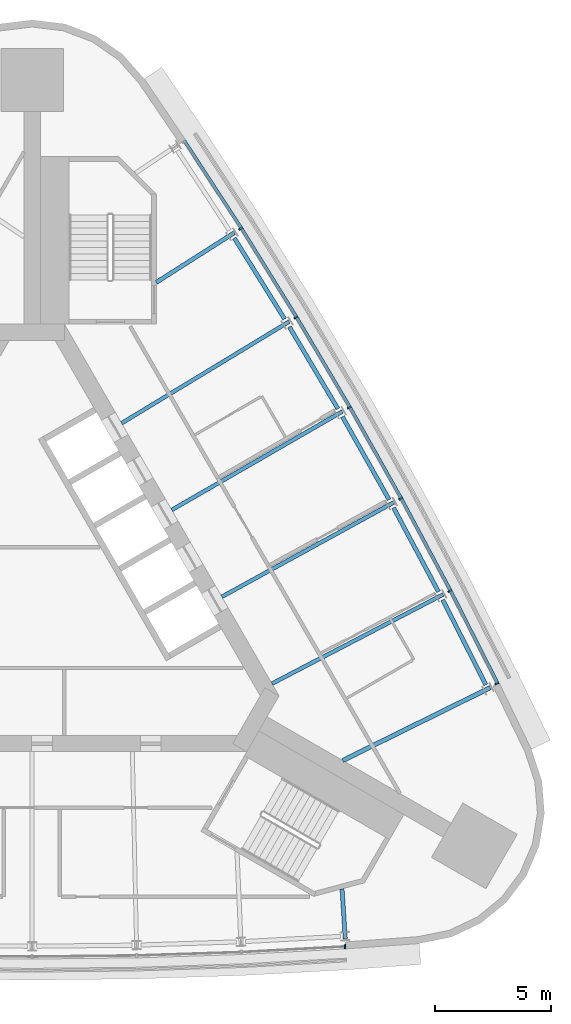
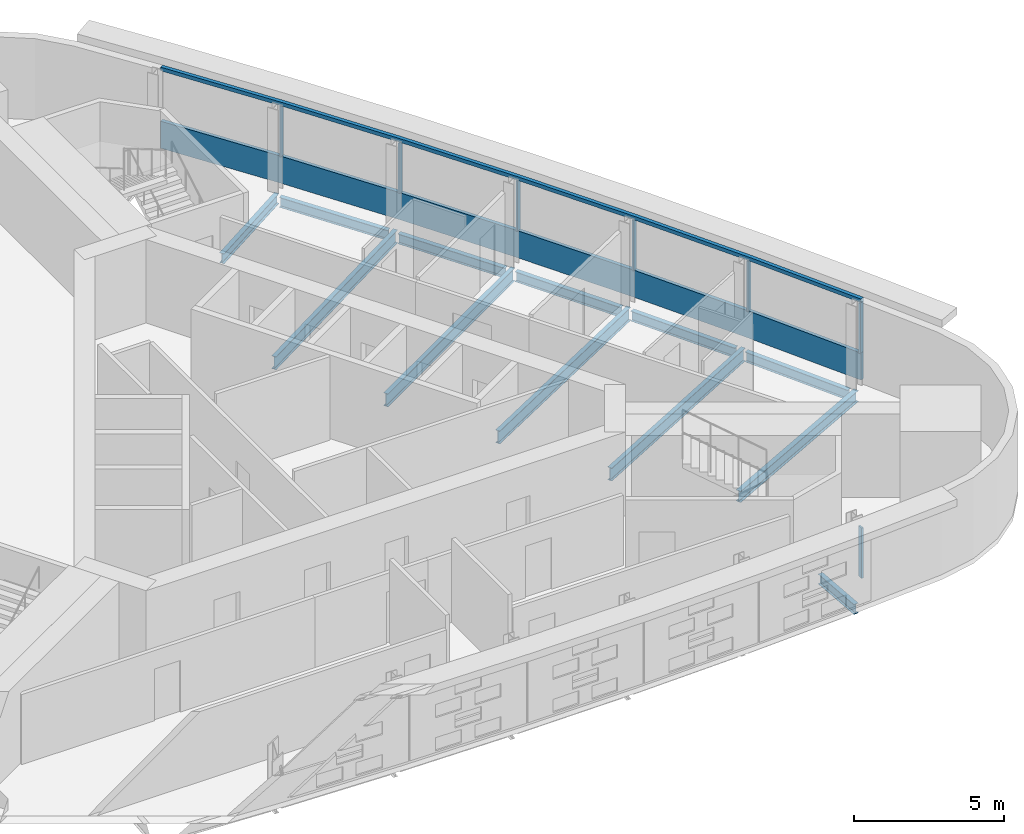
# One storey, part 4 of 10: 12 beams, 9 members, 2 elements without a shape of their own.
"""IFC4 building model written with IfcOpenShell, lengths in metres."""

from ifc_helpers import new_model, si_unit, direction, frame, origin, origin_2d, place, context, subcontext, project, spatial, polyline, rectangle, i_section, outline, extrude, material, material_profile, profile_set, type_object, element, aggregate, save


model = new_model("IFC4")

# Units and contexts
model_context = context("Model", 3, precision=1e-05, world=origin(), true_north=direction((0.0, 1.0)))
body_context = subcontext(model_context, "Body", "Model", "MODEL_VIEW")
ifc_project = project(units=[si_unit("LENGTHUNIT", "METRE"), si_unit("AREAUNIT", "SQUARE_METRE"), si_unit("VOLUMEUNIT", "CUBIC_METRE"), si_unit("PLANEANGLEUNIT", "RADIAN"), si_unit("MASSUNIT", "GRAM", prefix="KILO")], contexts=[model_context])

# Site, building, storey
site_placement = place(None, origin())
site = spatial("IfcSite", under=ifc_project, at=site_placement, CompositionType="ELEMENT")
building_placement = place(site_placement, origin())
building = spatial("IfcBuilding", under=site, at=building_placement, Name="Noor Cloister Tower", CompositionType="ELEMENT")
storey_placement = place(building_placement, frame((0.0, 0.0, 199.5)))
storey = spatial("IfcBuildingStorey", under=building, at=storey_placement, Name="L51", CompositionType="ELEMENT", Elevation=199.5)

# Curtain wall, member
ifc_material_1 = material(Name="Aluminium 6063-T6 anodised", Category="aluminium")
curtain_wall_type = type_object("IfcCurtainWallType", Name="Ribbon curtain wall, upper tower CW5", PredefinedType="NOTDEFINED", material=ifc_material_1)
curtain_wall_1_placement = place(storey_placement, origin())
curtain_wall_1 = element("IfcCurtainWall", 1, at=curtain_wall_1_placement, inside=storey, type_object=curtain_wall_type, Name="CW5 L51 NE run 3", PredefinedType="NOTDEFINED")
ifc_material_2 = material(Name="Aluminium 6063-T6 anodised", Category="aluminium")
member_type_1 = type_object("IfcMemberType", Name="Head transom CW5 150", PredefinedType="USERDEFINED", material=ifc_material_2)
member_1_placement = place(storey_placement, frame((0.0, 0.0, 3.14990234375)))
member_1 = element("IfcMember", 2, at=member_1_placement, type_object=member_type_1, Name="CW5 head transom", ObjectType="TRANSOM", PredefinedType="USERDEFINED", context=body_context, shape_type="SweptSolid", body=[
    extrude(outline(polyline([(20.085693359375, -3.98095703125), (18.0498046875, 0.031982421875), (15.927490234375, 4.0), (13.7197265625, 7.921142578125), (11.427734375, 11.79345703125), (9.052490234375, 15.615478515625), (6.59521484375, 19.38525390625), (6.477783203125, 19.308837890625), (8.934326171875, 15.540283203125), (11.30810546875, 11.720947265625), (13.598388671875, 7.85107421875), (15.8046875, 3.9326171875), (17.925537109375, -0.03271484375), (19.960693359375, -4.04443359375), (20.085693359375, -3.98095703125)])), origin(), (0.0, 0.0, 1.0), 0.150146484375),
])

curtain_wall_2_placement = place(storey_placement, origin())
curtain_wall_2 = element("IfcCurtainWall", 3, at=curtain_wall_2_placement, inside=storey, type_object=curtain_wall_type, Name="CW5 L51 S run 2", PredefinedType="NOTDEFINED")
ifc_material_3 = material(Name="Aluminium 6063-T6 anodised", Category="aluminium")
ifc_material_profile_1 = material_profile(ifc_material_3, rectangle(XDim=0.179931640625, YDim=0.070068359375, at=origin_2d()), Name="180 x 70 mullion")
ifc_profile_set_1 = profile_set([ifc_material_profile_1], Name="Aluminium 6063-T6 anodised")
member_type_2 = type_object("IfcMemberType", Name="Mullion CW5 70 x 180", PredefinedType="MULLION", material=ifc_profile_set_1)
member_2_placement = place(storey_placement, frame((13.4501953125, -15.30615234375, 1.10009765625), z_axis=(0.0, 0.0, 1.0), x_axis=(-0.054074316624, 0.99853691383, 0.0)))
member_2 = element("IfcMember", 4, at=member_2_placement, type_object=member_type_2, Name="CW5 mullion 7", PredefinedType="MULLION", context=body_context, shape_type="SweptSolid", body=[
    extrude(rectangle(XDim=0.179931640625, YDim=0.070068359375, at=origin_2d()), origin(), (0.0, 0.0, 1.0), 2.0498046875),
])
aggregate(curtain_wall_2, [member_2])

# Member
member_3_placement = place(storey_placement, frame((19.980712890625, -3.9951171875, 1.10009765625), z_axis=(0.0, 0.0, 1.0), x_axis=(-0.891795492306, -0.452438725026, 0.0)))
member_3 = element("IfcMember", 5, at=member_3_placement, type_object=member_type_2, Name="CW5 mullion 1", PredefinedType="MULLION", context=body_context, shape_type="SweptSolid", body=[
    extrude(rectangle(XDim=0.179931640625, YDim=0.070068359375, at=origin_2d()), origin(), (0.0, 0.0, 1.0), 2.0498046875),
])

member_4_placement = place(storey_placement, frame((17.9609375, -0.01416015625, 1.10009765625), z_axis=(0.0, 0.0, 1.0), x_axis=(-0.88684793719, -0.462061398845, 0.0)))
member_4 = element("IfcMember", 6, at=member_4_placement, type_object=member_type_2, Name="CW5 mullion 2", PredefinedType="MULLION", context=body_context, shape_type="SweptSolid", body=[
    extrude(rectangle(XDim=0.179931640625, YDim=0.070068359375, at=origin_2d()), origin(), (0.0, 0.0, 1.0), 2.0498046875),
])

member_5_placement = place(storey_placement, frame((15.83984375, 3.951904296875, 1.10009765625), z_axis=(0.0, 0.0, 1.0), x_axis=(-0.876641929033, -0.481143355208, 0.0)))
member_5 = element("IfcMember", 7, at=member_5_placement, type_object=member_type_2, Name="CW5 mullion 3", PredefinedType="MULLION", context=body_context, shape_type="SweptSolid", body=[
    extrude(rectangle(XDim=0.179931640625, YDim=0.070068359375, at=origin_2d()), origin(), (0.0, 0.0, 1.0), 2.0498046875),
])

member_6_placement = place(storey_placement, frame((13.633056640625, 7.87109375, 1.10009765625), z_axis=(0.0, 0.0, 1.0), x_axis=(-0.866025403784, -0.5, 0.0)))
member_6 = element("IfcMember", 8, at=member_6_placement, type_object=member_type_2, Name="CW5 mullion 4", PredefinedType="MULLION", context=body_context, shape_type="SweptSolid", body=[
    extrude(rectangle(XDim=0.179931640625, YDim=0.070068359375, at=origin_2d()), origin(), (0.0, 0.0, 1.0), 2.0498046875),
])

member_7_placement = place(storey_placement, frame((11.34228515625, 11.74169921875, 1.10009765625), z_axis=(0.0, 0.0, 1.0), x_axis=(-0.855003332989, -0.518622502961, 0.0)))
member_7 = element("IfcMember", 9, at=member_7_placement, type_object=member_type_2, Name="CW5 mullion 5", PredefinedType="MULLION", context=body_context, shape_type="SweptSolid", body=[
    extrude(rectangle(XDim=0.179931640625, YDim=0.070068359375, at=origin_2d()), origin(), (0.0, 0.0, 1.0), 2.0498046875),
])

member_8_placement = place(storey_placement, frame((8.96826171875, 15.561767578125, 1.10009765625), z_axis=(0.0, 0.0, 1.0), x_axis=(-0.843580878103, -0.537002143478, 0.0)))
member_8 = element("IfcMember", 10, at=member_8_placement, type_object=member_type_2, Name="CW5 mullion 6", PredefinedType="MULLION", context=body_context, shape_type="SweptSolid", body=[
    extrude(rectangle(XDim=0.179931640625, YDim=0.070068359375, at=origin_2d()), origin(), (0.0, 0.0, 1.0), 2.0498046875),
])

# Beams
ifc_material_4 = material(Name="Steel ASTM A992 Gr 50", Category="steel")
ifc_material_profile_2 = material_profile(ifc_material_4, i_section(OverallWidth=0.177978515625, OverallDepth=0.406005859375, WebThickness=0.0078125, FlangeThickness=0.0126953125, FilletRadius=0.01025390625, at=origin_2d()), Name="W410x60")
ifc_profile_set_2 = profile_set([ifc_material_profile_2], Name="Steel ASTM A992 Gr 50")
beam_type_1 = type_object("IfcBeamType", Name="Radial beam W410x60", PredefinedType="BEAM", material=ifc_profile_set_2)
beam_1_placement = place(storey_placement, frame((13.462158203125, -14.967041015625, -0.403076171875), z_axis=(-0.064860293262, 0.997894354307, 0.0), x_axis=(-0.997894354307, -0.064860293262, 0.0)))
element("IfcBeam", 11, at=beam_1_placement, inside=storey, type_object=beam_type_1, Name="Radial beam S 07 L51", PredefinedType="BEAM", context=body_context, shape_type="SweptSolid", body=[
    extrude(i_section(OverallWidth=0.177978515625, OverallDepth=0.406005859375, WebThickness=0.0078125, FlangeThickness=0.0126953125, FilletRadius=0.01025390625, at=origin_2d()), origin(), (0.0, 0.0, 1.0), 2.1494140625),
])
beam_2_placement = place(storey_placement, frame((8.68310546875, 15.38037109375, -0.403076171875), z_axis=(-0.84358294258, -0.53699890036, 0.0), x_axis=(0.53699890036, -0.84358294258, 0.0)))
element("IfcBeam", 12, at=beam_2_placement, inside=storey, type_object=beam_type_1, Name="Radial beam NE 06 L51", PredefinedType="BEAM", context=body_context, shape_type="SweptSolid", body=[
    extrude(i_section(OverallWidth=0.177978515625, OverallDepth=0.406005859375, WebThickness=0.0078125, FlangeThickness=0.0126953125, FilletRadius=0.01025390625, at=origin_2d()), origin(), (0.0, 0.0, 1.0), 3.968017578125),
])
ifc_material_5 = material(Name="Steel ASTM A992 Gr 50", Category="steel")
ifc_material_profile_3 = material_profile(ifc_material_5, i_section(OverallWidth=0.19091796875, OverallDepth=0.45703125, WebThickness=0.009033203125, FlangeThickness=0.014404296875, FilletRadius=0.01025390625, at=origin_2d()), Name="W460x74")
ifc_profile_set_3 = profile_set([ifc_material_profile_3], Name="Steel ASTM A992 Gr 50")
beam_type_2 = type_object("IfcBeamType", Name="Radial beam W460x74", PredefinedType="BEAM", material=ifc_profile_set_3)
beam_3_placement = place(storey_placement, frame((19.69287109375, -4.175048828125, -0.428466796875), z_axis=(-0.896639949022, -0.442760433889, 0.0), x_axis=(0.442760433889, -0.896639949022, 0.0)))
element("IfcBeam", 13, at=beam_3_placement, inside=storey, type_object=beam_type_2, Name="Radial beam NE 01 L51", PredefinedType="BEAM", context=body_context, shape_type="SweptSolid", body=[
    extrude(i_section(OverallWidth=0.19091796875, OverallDepth=0.45703125, WebThickness=0.009033203125, FlangeThickness=0.014404296875, FilletRadius=0.01025390625, at=origin_2d()), origin(), (0.0, 0.0, 1.0), 7.070068359375),
])
ifc_material_6 = material(Name="Steel ASTM A992 Gr 50", Category="steel")
ifc_material_profile_4 = material_profile(ifc_material_6, i_section(OverallWidth=0.166015625, OverallDepth=0.528076171875, WebThickness=0.009765625, FlangeThickness=0.013671875, FilletRadius=0.0126953125, at=origin_2d()), Name="W530x74")
ifc_profile_set_4 = profile_set([ifc_material_profile_4], Name="Steel ASTM A992 Gr 50")
beam_type_3 = type_object("IfcBeamType", Name="Radial beam W530x74", PredefinedType="BEAM", material=ifc_profile_set_4)
beam_4_placement = place(storey_placement, frame((17.661376953125, -0.17041015625, -0.464111328125), z_axis=(-0.886845699346, -0.462065693977, 0.0), x_axis=(0.462065693977, -0.886845699346, 0.0)))
element("IfcBeam", 14, at=beam_4_placement, inside=storey, type_object=beam_type_3, Name="Radial beam NE 02 L51", PredefinedType="BEAM", context=body_context, shape_type="SweptSolid", body=[
    extrude(i_section(OverallWidth=0.166015625, OverallDepth=0.528076171875, WebThickness=0.009765625, FlangeThickness=0.013671875, FilletRadius=0.0126953125, at=origin_2d()), origin(), (0.0, 0.0, 1.0), 8.28955078125),
])
beam_5_placement = place(storey_placement, frame((15.54345703125, 3.789306640625, -0.464111328125), z_axis=(-0.876636281192, -0.481153645416, 0.0), x_axis=(0.481153645416, -0.876636281192, 0.0)))
element("IfcBeam", 15, at=beam_5_placement, inside=storey, type_object=beam_type_3, Name="Radial beam NE 03 L51", PredefinedType="BEAM", context=body_context, shape_type="SweptSolid", body=[
    extrude(i_section(OverallWidth=0.166015625, OverallDepth=0.528076171875, WebThickness=0.009765625, FlangeThickness=0.013671875, FilletRadius=0.0126953125, at=origin_2d()), origin(), (0.0, 0.0, 1.0), 8.429443359375),
])
beam_6_placement = place(storey_placement, frame((13.34033203125, 7.7021484375, -0.464111328125), z_axis=(-0.866020579303, -0.500008356154, 0.0), x_axis=(0.500008356154, -0.866020579303, 0.0)))
element("IfcBeam", 16, at=beam_6_placement, inside=storey, type_object=beam_type_3, Name="Radial beam NE 04 L51", PredefinedType="BEAM", context=body_context, shape_type="SweptSolid", body=[
    extrude(i_section(OverallWidth=0.166015625, OverallDepth=0.528076171875, WebThickness=0.009765625, FlangeThickness=0.013671875, FilletRadius=0.0126953125, at=origin_2d()), origin(), (0.0, 0.0, 1.0), 8.475830078125),
])
beam_7_placement = place(storey_placement, frame((11.05322265625, 11.56640625, -0.464111328125), z_axis=(-0.855004033078, -0.51862134879, 0.0), x_axis=(0.51862134879, -0.855004033078, 0.0)))
element("IfcBeam", 17, at=beam_7_placement, inside=storey, type_object=beam_type_3, Name="Radial beam NE 05 L51", PredefinedType="BEAM", context=body_context, shape_type="SweptSolid", body=[
    extrude(i_section(OverallWidth=0.166015625, OverallDepth=0.528076171875, WebThickness=0.009765625, FlangeThickness=0.013671875, FilletRadius=0.0126953125, at=origin_2d()), origin(), (0.0, 0.0, 1.0), 8.42919921875),
])

# Member
ifc_material_7 = material(Name="Aluminium 6063-T6 anodised", Category="aluminium")
member_type_3 = type_object("IfcMemberType", Name="Sill transom CW5 1100", PredefinedType="USERDEFINED", material=ifc_material_7)
member_9_placement = place(storey_placement, origin())
member_9 = element("IfcMember", 18, at=member_9_placement, type_object=member_type_3, Name="CW5 sill transom", ObjectType="TRANSOM", PredefinedType="USERDEFINED", context=body_context, shape_type="SweptSolid", body=[
    extrude(outline(polyline([(20.085693359375, -3.98095703125), (18.0498046875, 0.031982421875), (15.927490234375, 4.0), (13.7197265625, 7.921142578125), (11.427734375, 11.79345703125), (9.052490234375, 15.615478515625), (6.59521484375, 19.38525390625), (6.477783203125, 19.308837890625), (8.934326171875, 15.540283203125), (11.30810546875, 11.720947265625), (13.598388671875, 7.85107421875), (15.8046875, 3.9326171875), (17.925537109375, -0.03271484375), (19.960693359375, -4.04443359375), (20.085693359375, -3.98095703125)])), origin(), (0.0, 0.0, 1.0), 1.10009765625),
])

aggregate(curtain_wall_1, [member_3, member_4, member_5, member_6, member_7, member_8, member_9, member_1])

# Beams
ifc_material_8 = material(Name="Steel ASTM A992 Gr 50", Category="steel")
ifc_material_profile_5 = material_profile(ifc_material_8, i_section(OverallWidth=0.177978515625, OverallDepth=0.406005859375, WebThickness=0.0078125, FlangeThickness=0.0126953125, FilletRadius=0.01025390625, at=origin_2d()), Name="W410x60")
ifc_profile_set_5 = profile_set([ifc_material_profile_5], Name="Steel ASTM A992 Gr 50")
beam_type_4 = type_object("IfcBeamType", Name="Spandrel beam W410x60", PredefinedType="SPANDREL", material=ifc_profile_set_5)
for number, where, z_axis, x_axis, name in (
    (19, (19.50341796875, -4.048828125, -0.403076171875), (-0.452453813184, 0.8917878374, 0.0), (-0.8917878374, -0.452453813184, 0.0), "Spandrel beam NE 01 L51"),
    (20, (17.468994140625, -0.048583984375, -0.403076171875), (-0.471637153949, 0.881792716581, 0.0), (-0.881792716581, -0.471637153949, 0.0), "Spandrel beam NE 02 L51"),
    (21, (15.3486328125, 3.906982421875, -0.403076171875), (-0.490612281957, 0.871377982734, 0.0), (-0.871377982734, -0.490612281957, 0.0), "Spandrel beam NE 03 L51"),
    (22, (13.14306640625, 7.815673828125, -0.403076171875), (-0.509329906975, 0.860571348501, 0.0), (-0.860571348501, -0.509329906975, 0.0), "Spandrel beam NE 04 L51"),
    (23, (10.853515625, 11.675537109375, -0.403076171875), (-0.527815540328, 0.8493590262, 0.0), (-0.8493590262, -0.527815540328, 0.0), "Spandrel beam NE 05 L51"),
):
    element("IfcBeam", number, at=place(storey_placement, frame(where, z_axis=z_axis, x_axis=x_axis)), inside=storey, type_object=beam_type_4, Name=name, PredefinedType="SPANDREL", context=body_context, shape_type="SweptSolid", body=[
        extrude(i_section(OverallWidth=0.177978515625, OverallDepth=0.406005859375, WebThickness=0.0078125, FlangeThickness=0.0126953125, FilletRadius=0.01025390625, at=origin_2d()), origin(), (0.0, 0.0, 1.0), 4.093994140625),
    ])

save(model, "model.ifc")
